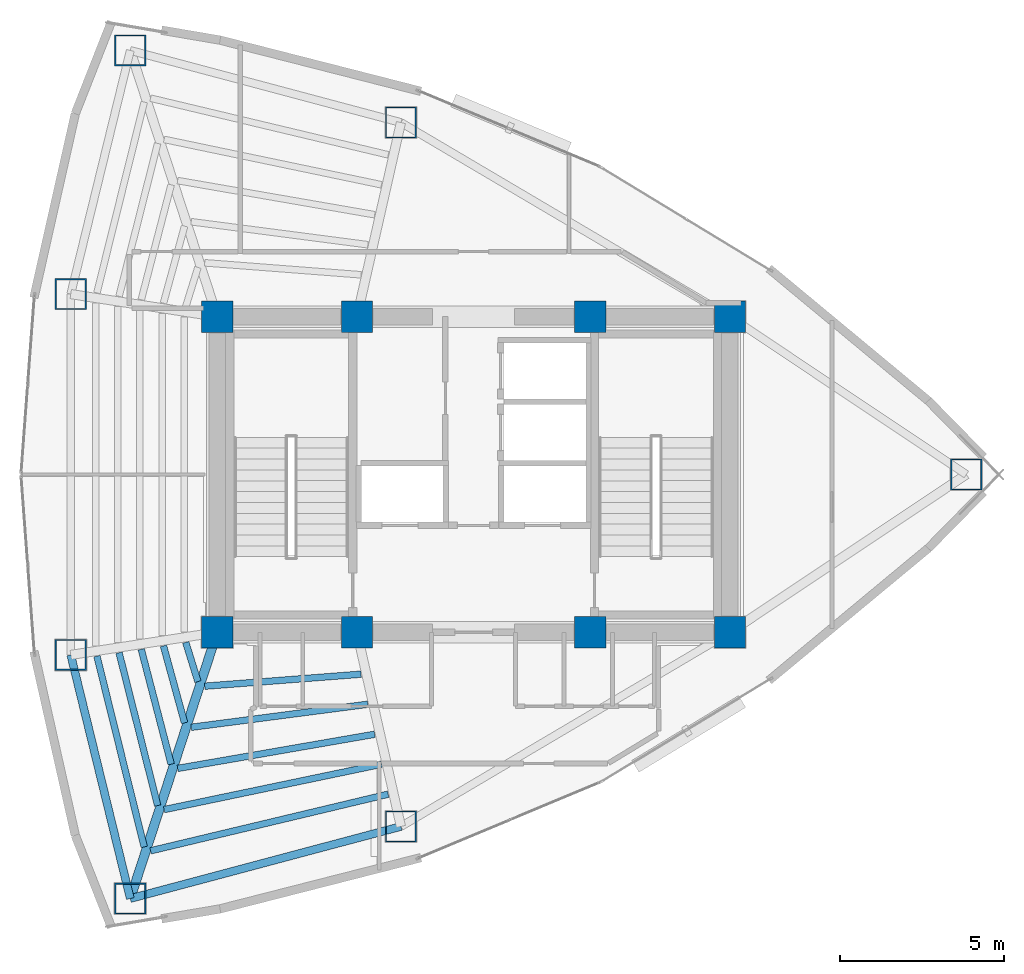
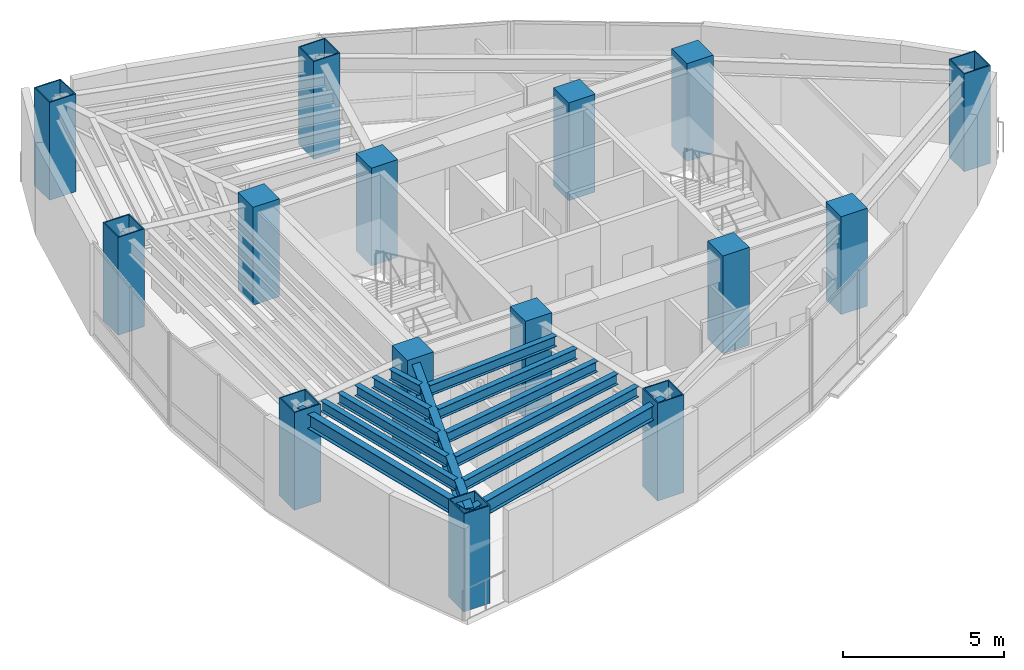
# One storey, part 1 of 15: 15 columns, 13 beams.
"""IFC4 building model written with IfcOpenShell, lengths in metres."""

from ifc_helpers import new_model, si_unit, direction, frame, origin, origin_2d, place, context, subcontext, project, spatial, rectangle, hollow_rectangle, i_section, extrude, material, material_profile, profile_set, type_object, element, save


model = new_model("IFC4")

# Units and contexts
model_context = context("Model", 3, precision=1e-05, world=origin(), true_north=direction((0.0, 1.0)))
body_context = subcontext(model_context, "Body", "Model", "MODEL_VIEW")
ifc_project = project(units=[si_unit("LENGTHUNIT", "METRE"), si_unit("AREAUNIT", "SQUARE_METRE"), si_unit("VOLUMEUNIT", "CUBIC_METRE"), si_unit("PLANEANGLEUNIT", "RADIAN"), si_unit("MASSUNIT", "GRAM", prefix="KILO")], contexts=[model_context])

# Site, building, storey
site_placement = place(None, origin())
site = spatial("IfcSite", under=ifc_project, at=site_placement, CompositionType="ELEMENT")
building_placement = place(site_placement, origin())
building = spatial("IfcBuilding", under=site, at=building_placement, Name="Menara Vayukalpa", CompositionType="ELEMENT")
storey_placement = place(building_placement, frame((0.0, 0.0, 187.800048828125)))
storey = spatial("IfcBuildingStorey", under=building, at=storey_placement, Name="L47", CompositionType="ELEMENT", Elevation=187.800048828125)

# Columns
ifc_material_1 = material(Name="Concrete C60/75", Category="concrete")
ifc_material_profile_1 = material_profile(ifc_material_1, rectangle(XDim=0.949951171875, YDim=0.949951171875, at=origin_2d()), Name="RC 950x950")
ifc_profile_set_1 = profile_set([ifc_material_profile_1], Name="Concrete C60/75")
column_type_1 = type_object("IfcColumnType", Name="COL-CC2", PredefinedType="COLUMN", material=ifc_profile_set_1)
for number, where, z_axis, x_axis, name in (
    (1, (17.800048828125, 17.199951171875, 0.0), (0.0, 0.0, 1.0), (1.0, 0.0, 0.0), "L47 Core Pilaster Column CC1"),
    (2, (22.050048828125, 17.199951171875, 0.0), (0.0, 0.0, 1.0), (1.0, 0.0, 0.0), "L47 Core Pilaster Column CC2"),
    (3, (29.14990234375, 17.199951171875, 0.0), (0.0, 0.0, 1.0), (1.0, 0.0, 0.0), "L47 Core Pilaster Column CC3"),
    (4, (33.39990234375, 17.199951171875, 0.0), (0.0, 0.0, 1.0), (1.0, 0.0, 0.0), "L47 Core Pilaster Column CC4"),
    (5, (17.800048828125, 26.800048828125, 0.0), (0.0, 0.0, 1.0), (1.0, 0.0, 0.0), "L47 Core Pilaster Column CC5"),
    (6, (22.050048828125, 26.800048828125, 0.0), (0.0, 0.0, 1.0), (1.0, 0.0, 0.0), "L47 Core Pilaster Column CC6"),
    (7, (29.14990234375, 26.800048828125, 0.0), (0.0, 0.0, 1.0), (1.0, 0.0, 0.0), "L47 Core Pilaster Column CC7"),
    (8, (33.39990234375, 26.800048828125, 0.0), (0.0, 0.0, 1.0), (1.0, 0.0, 0.0), "L47 Core Pilaster Column CC8"),
):
    element("IfcColumn", number, at=place(storey_placement, frame(where, z_axis=z_axis, x_axis=x_axis)), inside=storey, type_object=column_type_1, Name=name, PredefinedType="COLUMN", context=body_context, shape_type="SweptSolid", body=[
        extrude(rectangle(XDim=0.949951171875, YDim=0.949951171875, at=origin_2d()), origin(), (0.0, 0.0, 1.0), 3.719970703125),
    ])
ifc_material_2 = material(Name="Steel S460", Category="steel")
ifc_material_profile_2 = material_profile(ifc_material_2, hollow_rectangle(XDim=0.949951171875, YDim=0.949951171875, WallThickness=0.0400390625, at=origin_2d()), Name="BOX 950x950x40")
ifc_profile_set_2 = profile_set([ifc_material_profile_2], Name="Steel S460")
column_type_2 = type_object("IfcColumnType", Name="COL-MC4", PredefinedType="COLUMN", material=ifc_profile_set_2)
for number, where, z_axis, x_axis, name in (
    (9, (40.590576171875, 22.0, 0.0), (0.0, 0.0, 1.0), (1.0, 0.0, 0.0), "L47 Perimeter Mega Column P01"),
    (10, (23.389404296875, 32.70849609375, 0.0), (0.0, 0.0, 1.0), (1.0, 0.0, 0.0), "L47 Perimeter Mega Column P03"),
    (11, (15.15478515625, 34.902587890625, 0.0), (0.0, 0.0, 1.0), (1.0, 0.0, 0.0), "L47 Perimeter Mega Column P04"),
    (12, (13.343994140625, 27.4892578125, 0.0), (0.0, 0.0, 1.0), (1.0, 0.0, 0.0), "L47 Perimeter Mega Column P05"),
    (13, (13.343994140625, 16.5107421875, 0.0), (0.0, 0.0, 1.0), (1.0, 0.0, 0.0), "L47 Perimeter Mega Column P06"),
    (14, (15.15478515625, 9.097412109375, 0.0), (0.0, 0.0, 1.0), (1.0, 0.0, 0.0), "L47 Perimeter Mega Column P07"),
    (15, (23.389404296875, 11.29150390625, 0.0), (0.0, 0.0, 1.0), (1.0, 0.0, 0.0), "L47 Perimeter Mega Column P08"),
):
    element("IfcColumn", number, at=place(storey_placement, frame(where, z_axis=z_axis, x_axis=x_axis)), inside=storey, type_object=column_type_2, Name=name, PredefinedType="COLUMN", context=body_context, shape_type="SweptSolid", body=[
        extrude(hollow_rectangle(XDim=0.949951171875, YDim=0.949951171875, WallThickness=0.0400390625, at=origin_2d()), origin(), (0.0, 0.0, 1.0), 3.719970703125),
    ])

# Beams
ifc_material_3 = material(Name="Steel S355", Category="steel")
ifc_material_profile_3 = material_profile(ifc_material_3, i_section(OverallWidth=0.280029296875, OverallDepth=0.75, WebThickness=0.013916015625, FlangeThickness=0.02490234375, at=origin_2d()), Name="WF 750x280x14x25")
ifc_profile_set_3 = profile_set([ifc_material_profile_3], Name="Steel S355")
beam_type_1 = type_object("IfcBeamType", Name="BM-PG4", PredefinedType="BEAM", material=ifc_profile_set_3)
beam_1_placement = place(storey_placement, frame((17.722412109375, 16.96240234375, 3.125), z_axis=(-0.310343552153, -0.950624468251, 0.0), x_axis=(0.950624468251, -0.310343552153, 0.0)))
element("IfcBeam", 16, at=beam_1_placement, inside=storey, type_object=beam_type_1, Name="L47 Primary Radial Girder RG07", PredefinedType="BEAM", context=body_context, shape_type="SweptSolid", body=[
    extrude(i_section(OverallWidth=0.280029296875, OverallDepth=0.75, WebThickness=0.013916015625, FlangeThickness=0.02490234375, at=origin_2d()), origin(), (0.0, 0.0, 1.0), 8.2734375),
])
ifc_material_4 = material(Name="Steel S355", Category="steel")
ifc_material_profile_4 = material_profile(ifc_material_4, i_section(OverallWidth=0.199951171875, OverallDepth=0.39990234375, WebThickness=0.008056640625, FlangeThickness=0.012939453125, at=origin_2d()), Name="WF 400x200x8x13")
ifc_profile_set_4 = profile_set([ifc_material_profile_4], Name="Steel S355")
beam_type_2 = type_object("IfcBeamType", Name="BM-SJ2", PredefinedType="JOIST", material=ifc_profile_set_4)
beam_2_placement = place(storey_placement, frame((16.8427734375, 16.891845703125, 3.300048828125), z_axis=(0.296448419226, -0.955048865105, 0.0), x_axis=(0.955048865105, 0.296448419226, 0.0)))
element("IfcBeam", 17, at=beam_2_placement, inside=storey, type_object=beam_type_2, Name="L47 Secondary Floor Joist SJ06-1", PredefinedType="JOIST", context=body_context, shape_type="SweptSolid", body=[
    extrude(i_section(OverallWidth=0.199951171875, OverallDepth=0.39990234375, WebThickness=0.008056640625, FlangeThickness=0.012939453125, at=origin_2d()), origin(), (0.0, 0.0, 1.0), 1.24853515625),
])
beam_3_placement = place(storey_placement, frame((16.164306640625, 16.7861328125, 3.300048828125), z_axis=(0.264502665082, -0.964384954344, 0.0), x_axis=(0.964384954344, 0.264502665082, 0.0)))
element("IfcBeam", 18, at=beam_3_placement, inside=storey, type_object=beam_type_2, Name="L47 Secondary Floor Joist SJ06-2", PredefinedType="JOIST", context=body_context, shape_type="SweptSolid", body=[
    extrude(i_section(OverallWidth=0.199951171875, OverallDepth=0.39990234375, WebThickness=0.008056640625, FlangeThickness=0.012939453125, at=origin_2d()), origin(), (0.0, 0.0, 1.0), 2.430419921875),
])
beam_4_placement = place(storey_placement, frame((15.48876953125, 16.681396484375, 3.300048828125), z_axis=(0.251714869346, -0.967801438597, 0.0), x_axis=(0.967801438597, 0.251714869346, 0.0)))
element("IfcBeam", 19, at=beam_4_placement, inside=storey, type_object=beam_type_2, Name="L47 Secondary Floor Joist SJ06-3", PredefinedType="JOIST", context=body_context, shape_type="SweptSolid", body=[
    extrude(i_section(OverallWidth=0.199951171875, OverallDepth=0.39990234375, WebThickness=0.008056640625, FlangeThickness=0.012939453125, at=origin_2d()), origin(), (0.0, 0.0, 1.0), 3.61279296875),
])
beam_5_placement = place(storey_placement, frame((14.814208984375, 16.576904296875, 3.300048828125), z_axis=(0.24483447751, -0.969564891393, 0.0), x_axis=(0.969564891393, 0.24483447751, 0.0)))
element("IfcBeam", 20, at=beam_5_placement, inside=storey, type_object=beam_type_2, Name="L47 Secondary Floor Joist SJ06-4", PredefinedType="JOIST", context=body_context, shape_type="SweptSolid", body=[
    extrude(i_section(OverallWidth=0.199951171875, OverallDepth=0.39990234375, WebThickness=0.008056640625, FlangeThickness=0.012939453125, at=origin_2d()), origin(), (0.0, 0.0, 1.0), 4.79638671875),
])
beam_6_placement = place(storey_placement, frame((14.14013671875, 16.47265625, 3.300048828125), z_axis=(0.240556182956, -0.970635216156, 0.0), x_axis=(0.970635216156, 0.240556182956, 0.0)))
element("IfcBeam", 21, at=beam_6_placement, inside=storey, type_object=beam_type_2, Name="L47 Secondary Floor Joist SJ06-5", PredefinedType="JOIST", context=body_context, shape_type="SweptSolid", body=[
    extrude(i_section(OverallWidth=0.199951171875, OverallDepth=0.39990234375, WebThickness=0.008056640625, FlangeThickness=0.012939453125, at=origin_2d()), origin(), (0.0, 0.0, 1.0), 5.979736328125),
])
beam_7_placement = place(storey_placement, frame((17.419921875, 15.558837890625, 3.300048828125), z_axis=(0.997061705182, 0.076602585202, 0.0), x_axis=(-0.076602585202, 0.997061705182, 0.0)))
element("IfcBeam", 22, at=beam_7_placement, inside=storey, type_object=beam_type_2, Name="L47 Secondary Floor Joist SJ07-1", PredefinedType="JOIST", context=body_context, shape_type="SweptSolid", body=[
    extrude(i_section(OverallWidth=0.199951171875, OverallDepth=0.39990234375, WebThickness=0.008056640625, FlangeThickness=0.012939453125, at=origin_2d()), origin(), (0.0, 0.0, 1.0), 4.77099609375),
])
beam_8_placement = place(storey_placement, frame((17.008056640625, 14.308837890625, 3.300048828125), z_axis=(0.99161070493, 0.129260240866, 0.0), x_axis=(-0.129260240866, 0.99161070493, 0.0)))
element("IfcBeam", 23, at=beam_8_placement, inside=storey, type_object=beam_type_2, Name="L47 Secondary Floor Joist SJ07-2", PredefinedType="JOIST", context=body_context, shape_type="SweptSolid", body=[
    extrude(i_section(OverallWidth=0.199951171875, OverallDepth=0.39990234375, WebThickness=0.008056640625, FlangeThickness=0.012939453125, at=origin_2d()), origin(), (0.0, 0.0, 1.0), 5.420654296875),
])
beam_9_placement = place(storey_placement, frame((16.59619140625, 13.05712890625, 3.300048828125), z_axis=(0.985288833054, 0.170897382832, 0.0), x_axis=(-0.170897382832, 0.985288833054, 0.0)))
element("IfcBeam", 24, at=beam_9_placement, inside=storey, type_object=beam_type_2, Name="L47 Secondary Floor Joist SJ07-3", PredefinedType="JOIST", context=body_context, shape_type="SweptSolid", body=[
    extrude(i_section(OverallWidth=0.199951171875, OverallDepth=0.39990234375, WebThickness=0.008056640625, FlangeThickness=0.012939453125, at=origin_2d()), origin(), (0.0, 0.0, 1.0), 6.0830078125),
])
beam_10_placement = place(storey_placement, frame((16.184326171875, 11.80419921875, 3.300048828125), z_axis=(0.97888709748, 0.204401688806, 0.0), x_axis=(-0.204401688806, 0.97888709748, 0.0)))
element("IfcBeam", 25, at=beam_10_placement, inside=storey, type_object=beam_type_2, Name="L47 Secondary Floor Joist SJ07-4", PredefinedType="JOIST", context=body_context, shape_type="SweptSolid", body=[
    extrude(i_section(OverallWidth=0.199951171875, OverallDepth=0.39990234375, WebThickness=0.008056640625, FlangeThickness=0.012939453125, at=origin_2d()), origin(), (0.0, 0.0, 1.0), 6.75439453125),
])
beam_11_placement = place(storey_placement, frame((15.772705078125, 10.55029296875, 3.300048828125), z_axis=(0.972731800574, 0.231932844055, 0.0), x_axis=(-0.231932844055, 0.972731800574, 0.0)))
element("IfcBeam", 26, at=beam_11_placement, inside=storey, type_object=beam_type_2, Name="L47 Secondary Floor Joist SJ07-5", PredefinedType="JOIST", context=body_context, shape_type="SweptSolid", body=[
    extrude(i_section(OverallWidth=0.199951171875, OverallDepth=0.39990234375, WebThickness=0.008056640625, FlangeThickness=0.012939453125, at=origin_2d()), origin(), (0.0, 0.0, 1.0), 7.4326171875),
])
ifc_material_5 = material(Name="Steel S355", Category="steel")
ifc_material_profile_5 = material_profile(ifc_material_5, i_section(OverallWidth=0.239990234375, OverallDepth=0.550048828125, WebThickness=0.010986328125, FlangeThickness=0.01904296875, at=origin_2d()), Name="WF 550x240x11x19")
ifc_profile_set_5 = profile_set([ifc_material_profile_5], Name="Steel S355")
beam_type_3 = type_object("IfcBeamType", Name="BM-SP2", PredefinedType="SPANDREL", material=ifc_profile_set_5)
beam_12_placement = place(storey_placement, frame((13.343994140625, 16.5107421875, 3.224853515625), z_axis=(0.237285374413, -0.971439988414, 0.0), x_axis=(0.971439988414, 0.237285374413, 0.0)))
element("IfcBeam", 27, at=beam_12_placement, inside=storey, type_object=beam_type_3, Name="L47 Perimeter Spandrel Beam SP06", PredefinedType="SPANDREL", context=body_context, shape_type="SweptSolid", body=[
    extrude(i_section(OverallWidth=0.239990234375, OverallDepth=0.550048828125, WebThickness=0.010986328125, FlangeThickness=0.01904296875, at=origin_2d()), origin(), (0.0, 0.0, 1.0), 7.63134765625),
])
beam_13_placement = place(storey_placement, frame((15.15478515625, 9.097412109375, 3.224853515625), z_axis=(0.966287699272, 0.25746472037, 0.0), x_axis=(-0.25746472037, 0.966287699272, 0.0)))
element("IfcBeam", 28, at=beam_13_placement, inside=storey, type_object=beam_type_3, Name="L47 Perimeter Spandrel Beam SP07", PredefinedType="SPANDREL", context=body_context, shape_type="SweptSolid", body=[
    extrude(i_section(OverallWidth=0.239990234375, OverallDepth=0.550048828125, WebThickness=0.010986328125, FlangeThickness=0.01904296875, at=origin_2d()), origin(), (0.0, 0.0, 1.0), 8.52197265625),
])

save(model, "model.ifc")
